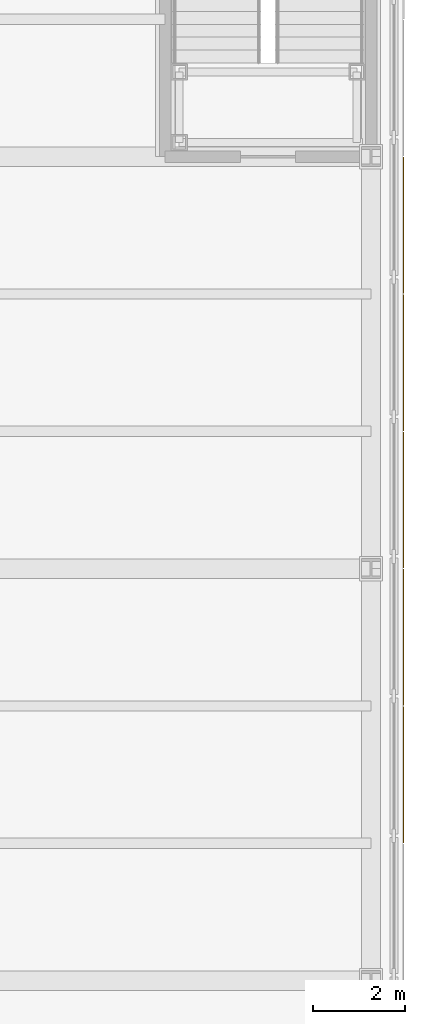
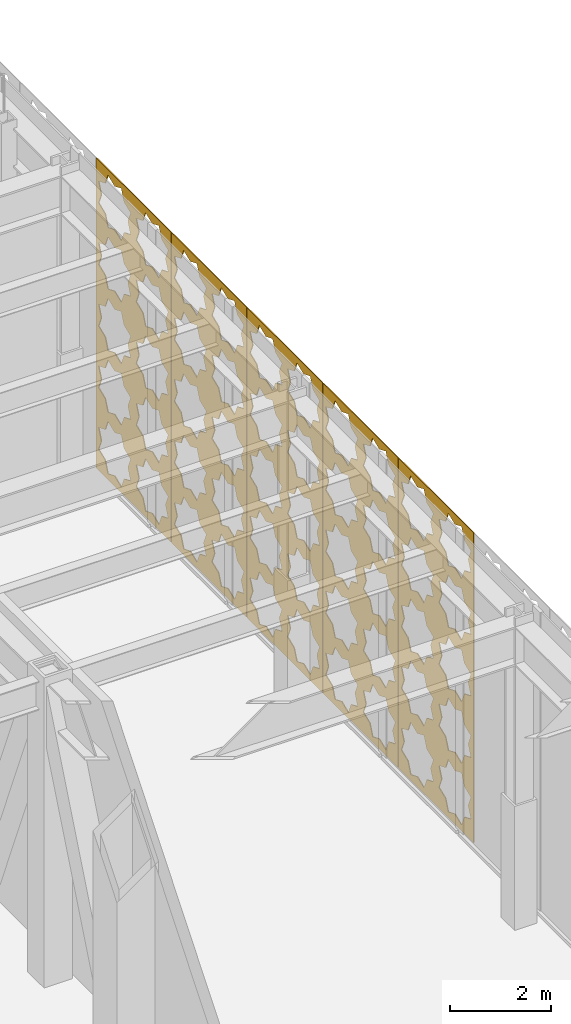
# One storey, part 33 of 34: 5 shading devices.
"""IFC4 building model written with IfcOpenShell, lengths in metres."""

from ifc_helpers import new_model, si_unit, direction, frame, origin, place, context, subcontext, project, spatial, polyline, outline, extrude, material, layer, layer_set, type_object, element, save


model = new_model("IFC4")

# Units and contexts
model_context = context("Model", 3, precision=1e-05, world=origin(), true_north=direction((0.0, 1.0)))
body_context = subcontext(model_context, "Body", "Model", "MODEL_VIEW")
ifc_project = project(units=[si_unit("LENGTHUNIT", "METRE"), si_unit("AREAUNIT", "SQUARE_METRE"), si_unit("VOLUMEUNIT", "CUBIC_METRE"), si_unit("PLANEANGLEUNIT", "RADIAN"), si_unit("MASSUNIT", "GRAM", prefix="KILO")], contexts=[model_context])

# Site, building, storey
site_placement = place(None, origin())
site = spatial("IfcSite", under=ifc_project, at=site_placement, CompositionType="ELEMENT")
building_placement = place(site_placement, origin())
building = spatial("IfcBuilding", under=site, at=building_placement, Name="Chuquiago Exchange Tower", CompositionType="ELEMENT")
storey_placement = place(building_placement, frame((0.0, 0.0, 6.0)))
storey = spatial("IfcBuildingStorey", under=building, at=storey_placement, Name="L01", CompositionType="ELEMENT", Elevation=6.0)

# Shading devices
ifc_material = material(Name="Pale metal, perforated in an eight-point star pattern", Category="aluminium")
ifc_layer = layer(ifc_material, 0.02001953125)
ifc_layer_set = layer_set([ifc_layer], Name="SC1 mashrabiya screen 20")
shading_device_type = type_object("IfcShadingDeviceType", Name="SC1 mashrabiya screen 20", PredefinedType="SHUTTER", material=ifc_layer_set)
shading_device_1_placement = place(storey_placement, frame((54.699951171875, 21.010009765625, -0.199951171875), z_axis=(0.0, 0.0, 1.0), x_axis=(0.0, 1.0, 0.0)))
element("IfcShadingDevice", 1, at=shading_device_1_placement, inside=storey, type_object=shading_device_type, Name="Mashrabiya screen L01 E 14", PredefinedType="SHUTTER", context=body_context, shape_type="SweptSolid", body=[
    extrude(outline(polyline([(0.0, 0.0), (2.97998046875, 0.0), (2.97998046875, 7.5), (0.0, 7.5), (0.0, 0.0)]), holes=[polyline([(1.26953125, 0.77001953125), (1.378173828125, 1.0322265625), (1.115966796875, 1.140869140625), (1.00732421875, 1.403076171875), (0.7451171875, 1.29443359375), (0.482666015625, 1.403076171875), (0.3740234375, 1.140869140625), (0.11181640625, 1.0322265625), (0.220458984375, 0.77001953125), (0.11181640625, 0.507568359375), (0.3740234375, 0.39892578125), (0.482666015625, 0.13671875), (0.7451171875, 0.245361328125), (1.00732421875, 0.13671875), (1.115966796875, 0.39892578125), (1.378173828125, 0.507568359375), (1.26953125, 0.77001953125)]), polyline([(2.759521484375, 0.77001953125), (2.8681640625, 1.0322265625), (2.60595703125, 1.140869140625), (2.497314453125, 1.403076171875), (2.235107421875, 1.29443359375), (1.97265625, 1.403076171875), (1.864013671875, 1.140869140625), (1.601806640625, 1.0322265625), (1.71044921875, 0.77001953125), (1.601806640625, 0.507568359375), (1.864013671875, 0.39892578125), (1.97265625, 0.13671875), (2.235107421875, 0.245361328125), (2.497314453125, 0.13671875), (2.60595703125, 0.39892578125), (2.8681640625, 0.507568359375), (2.759521484375, 0.77001953125)]), polyline([(1.26953125, 2.260009765625), (1.378173828125, 2.522216796875), (1.115966796875, 2.630859375), (1.00732421875, 2.89306640625), (0.7451171875, 2.78466796875), (0.482666015625, 2.89306640625), (0.3740234375, 2.630859375), (0.11181640625, 2.522216796875), (0.220458984375, 2.260009765625), (0.11181640625, 1.99755859375), (0.3740234375, 1.888916015625), (0.482666015625, 1.626708984375), (0.7451171875, 1.7353515625), (1.00732421875, 1.626708984375), (1.115966796875, 1.888916015625), (1.378173828125, 1.99755859375), (1.26953125, 2.260009765625)]), polyline([(2.759521484375, 2.260009765625), (2.8681640625, 2.522216796875), (2.60595703125, 2.630859375), (2.497314453125, 2.89306640625), (2.235107421875, 2.78466796875), (1.97265625, 2.89306640625), (1.864013671875, 2.630859375), (1.601806640625, 2.522216796875), (1.71044921875, 2.260009765625), (1.601806640625, 1.99755859375), (1.864013671875, 1.888916015625), (1.97265625, 1.626708984375), (2.235107421875, 1.7353515625), (2.497314453125, 1.626708984375), (2.60595703125, 1.888916015625), (2.8681640625, 1.99755859375), (2.759521484375, 2.260009765625)]), polyline([(1.26953125, 3.75), (1.378173828125, 4.01220703125), (1.115966796875, 4.120849609375), (1.00732421875, 4.383056640625), (0.7451171875, 4.274658203125), (0.482666015625, 4.383056640625), (0.3740234375, 4.120849609375), (0.11181640625, 4.01220703125), (0.220458984375, 3.75), (0.11181640625, 3.487548828125), (0.3740234375, 3.37890625), (0.482666015625, 3.11669921875), (0.7451171875, 3.225341796875), (1.00732421875, 3.11669921875), (1.115966796875, 3.37890625), (1.378173828125, 3.487548828125), (1.26953125, 3.75)]), polyline([(2.759521484375, 3.75), (2.8681640625, 4.01220703125), (2.60595703125, 4.120849609375), (2.497314453125, 4.383056640625), (2.235107421875, 4.274658203125), (1.97265625, 4.383056640625), (1.864013671875, 4.120849609375), (1.601806640625, 4.01220703125), (1.71044921875, 3.75), (1.601806640625, 3.487548828125), (1.864013671875, 3.37890625), (1.97265625, 3.11669921875), (2.235107421875, 3.225341796875), (2.497314453125, 3.11669921875), (2.60595703125, 3.37890625), (2.8681640625, 3.487548828125), (2.759521484375, 3.75)]), polyline([(1.26953125, 5.239990234375), (1.378173828125, 5.502197265625), (1.115966796875, 5.61083984375), (1.00732421875, 5.873046875), (0.7451171875, 5.7646484375), (0.482666015625, 5.873046875), (0.3740234375, 5.61083984375), (0.11181640625, 5.502197265625), (0.220458984375, 5.239990234375), (0.11181640625, 4.9775390625), (0.3740234375, 4.868896484375), (0.482666015625, 4.606689453125), (0.7451171875, 4.71533203125), (1.00732421875, 4.606689453125), (1.115966796875, 4.868896484375), (1.378173828125, 4.9775390625), (1.26953125, 5.239990234375)]), polyline([(2.759521484375, 5.239990234375), (2.8681640625, 5.502197265625), (2.60595703125, 5.61083984375), (2.497314453125, 5.873046875), (2.235107421875, 5.7646484375), (1.97265625, 5.873046875), (1.864013671875, 5.61083984375), (1.601806640625, 5.502197265625), (1.71044921875, 5.239990234375), (1.601806640625, 4.9775390625), (1.864013671875, 4.868896484375), (1.97265625, 4.606689453125), (2.235107421875, 4.71533203125), (2.497314453125, 4.606689453125), (2.60595703125, 4.868896484375), (2.8681640625, 4.9775390625), (2.759521484375, 5.239990234375)]), polyline([(1.26953125, 6.72998046875), (1.378173828125, 6.9921875), (1.115966796875, 7.100830078125), (1.00732421875, 7.363037109375), (0.7451171875, 7.254638671875), (0.482666015625, 7.363037109375), (0.3740234375, 7.100830078125), (0.11181640625, 6.9921875), (0.220458984375, 6.72998046875), (0.11181640625, 6.467529296875), (0.3740234375, 6.35888671875), (0.482666015625, 6.0966796875), (0.7451171875, 6.205322265625), (1.00732421875, 6.0966796875), (1.115966796875, 6.35888671875), (1.378173828125, 6.467529296875), (1.26953125, 6.72998046875)]), polyline([(2.759521484375, 6.72998046875), (2.8681640625, 6.9921875), (2.60595703125, 7.100830078125), (2.497314453125, 7.363037109375), (2.235107421875, 7.254638671875), (1.97265625, 7.363037109375), (1.864013671875, 7.100830078125), (1.601806640625, 6.9921875), (1.71044921875, 6.72998046875), (1.601806640625, 6.467529296875), (1.864013671875, 6.35888671875), (1.97265625, 6.0966796875), (2.235107421875, 6.205322265625), (2.497314453125, 6.0966796875), (2.60595703125, 6.35888671875), (2.8681640625, 6.467529296875), (2.759521484375, 6.72998046875)])]), frame((0.0, 0.0, 0.0), z_axis=(0.0, -1.0, 0.0), x_axis=(1.0, 0.0, 0.0)), (0.0, 0.0, 1.0), 0.02001953125),
])
shading_device_2_placement = place(storey_placement, frame((54.699951171875, 24.010009765625, -0.199951171875), z_axis=(0.0, 0.0, 1.0), x_axis=(0.0, 1.0, 0.0)))
element("IfcShadingDevice", 2, at=shading_device_2_placement, inside=storey, type_object=shading_device_type, Name="Mashrabiya screen L01 E 15", PredefinedType="SHUTTER", context=body_context, shape_type="SweptSolid", body=[
    extrude(outline(polyline([(0.0, 0.0), (2.97998046875, 0.0), (2.97998046875, 7.5), (0.0, 7.5), (0.0, 0.0)]), holes=[polyline([(1.26953125, 0.77001953125), (1.378173828125, 1.0322265625), (1.115966796875, 1.140869140625), (1.00732421875, 1.403076171875), (0.7451171875, 1.29443359375), (0.482666015625, 1.403076171875), (0.3740234375, 1.140869140625), (0.11181640625, 1.0322265625), (0.220458984375, 0.77001953125), (0.11181640625, 0.507568359375), (0.3740234375, 0.39892578125), (0.482666015625, 0.13671875), (0.7451171875, 0.245361328125), (1.00732421875, 0.13671875), (1.115966796875, 0.39892578125), (1.378173828125, 0.507568359375), (1.26953125, 0.77001953125)]), polyline([(2.759521484375, 0.77001953125), (2.8681640625, 1.0322265625), (2.60595703125, 1.140869140625), (2.497314453125, 1.403076171875), (2.235107421875, 1.29443359375), (1.97265625, 1.403076171875), (1.864013671875, 1.140869140625), (1.601806640625, 1.0322265625), (1.71044921875, 0.77001953125), (1.601806640625, 0.507568359375), (1.864013671875, 0.39892578125), (1.97265625, 0.13671875), (2.235107421875, 0.245361328125), (2.497314453125, 0.13671875), (2.60595703125, 0.39892578125), (2.8681640625, 0.507568359375), (2.759521484375, 0.77001953125)]), polyline([(1.26953125, 2.260009765625), (1.378173828125, 2.522216796875), (1.115966796875, 2.630859375), (1.00732421875, 2.89306640625), (0.7451171875, 2.78466796875), (0.482666015625, 2.89306640625), (0.3740234375, 2.630859375), (0.11181640625, 2.522216796875), (0.220458984375, 2.260009765625), (0.11181640625, 1.99755859375), (0.3740234375, 1.888916015625), (0.482666015625, 1.626708984375), (0.7451171875, 1.7353515625), (1.00732421875, 1.626708984375), (1.115966796875, 1.888916015625), (1.378173828125, 1.99755859375), (1.26953125, 2.260009765625)]), polyline([(2.759521484375, 2.260009765625), (2.8681640625, 2.522216796875), (2.60595703125, 2.630859375), (2.497314453125, 2.89306640625), (2.235107421875, 2.78466796875), (1.97265625, 2.89306640625), (1.864013671875, 2.630859375), (1.601806640625, 2.522216796875), (1.71044921875, 2.260009765625), (1.601806640625, 1.99755859375), (1.864013671875, 1.888916015625), (1.97265625, 1.626708984375), (2.235107421875, 1.7353515625), (2.497314453125, 1.626708984375), (2.60595703125, 1.888916015625), (2.8681640625, 1.99755859375), (2.759521484375, 2.260009765625)]), polyline([(1.26953125, 3.75), (1.378173828125, 4.01220703125), (1.115966796875, 4.120849609375), (1.00732421875, 4.383056640625), (0.7451171875, 4.274658203125), (0.482666015625, 4.383056640625), (0.3740234375, 4.120849609375), (0.11181640625, 4.01220703125), (0.220458984375, 3.75), (0.11181640625, 3.487548828125), (0.3740234375, 3.37890625), (0.482666015625, 3.11669921875), (0.7451171875, 3.225341796875), (1.00732421875, 3.11669921875), (1.115966796875, 3.37890625), (1.378173828125, 3.487548828125), (1.26953125, 3.75)]), polyline([(2.759521484375, 3.75), (2.8681640625, 4.01220703125), (2.60595703125, 4.120849609375), (2.497314453125, 4.383056640625), (2.235107421875, 4.274658203125), (1.97265625, 4.383056640625), (1.864013671875, 4.120849609375), (1.601806640625, 4.01220703125), (1.71044921875, 3.75), (1.601806640625, 3.487548828125), (1.864013671875, 3.37890625), (1.97265625, 3.11669921875), (2.235107421875, 3.225341796875), (2.497314453125, 3.11669921875), (2.60595703125, 3.37890625), (2.8681640625, 3.487548828125), (2.759521484375, 3.75)]), polyline([(1.26953125, 5.239990234375), (1.378173828125, 5.502197265625), (1.115966796875, 5.61083984375), (1.00732421875, 5.873046875), (0.7451171875, 5.7646484375), (0.482666015625, 5.873046875), (0.3740234375, 5.61083984375), (0.11181640625, 5.502197265625), (0.220458984375, 5.239990234375), (0.11181640625, 4.9775390625), (0.3740234375, 4.868896484375), (0.482666015625, 4.606689453125), (0.7451171875, 4.71533203125), (1.00732421875, 4.606689453125), (1.115966796875, 4.868896484375), (1.378173828125, 4.9775390625), (1.26953125, 5.239990234375)]), polyline([(2.759521484375, 5.239990234375), (2.8681640625, 5.502197265625), (2.60595703125, 5.61083984375), (2.497314453125, 5.873046875), (2.235107421875, 5.7646484375), (1.97265625, 5.873046875), (1.864013671875, 5.61083984375), (1.601806640625, 5.502197265625), (1.71044921875, 5.239990234375), (1.601806640625, 4.9775390625), (1.864013671875, 4.868896484375), (1.97265625, 4.606689453125), (2.235107421875, 4.71533203125), (2.497314453125, 4.606689453125), (2.60595703125, 4.868896484375), (2.8681640625, 4.9775390625), (2.759521484375, 5.239990234375)]), polyline([(1.26953125, 6.72998046875), (1.378173828125, 6.9921875), (1.115966796875, 7.100830078125), (1.00732421875, 7.363037109375), (0.7451171875, 7.254638671875), (0.482666015625, 7.363037109375), (0.3740234375, 7.100830078125), (0.11181640625, 6.9921875), (0.220458984375, 6.72998046875), (0.11181640625, 6.467529296875), (0.3740234375, 6.35888671875), (0.482666015625, 6.0966796875), (0.7451171875, 6.205322265625), (1.00732421875, 6.0966796875), (1.115966796875, 6.35888671875), (1.378173828125, 6.467529296875), (1.26953125, 6.72998046875)]), polyline([(2.759521484375, 6.72998046875), (2.8681640625, 6.9921875), (2.60595703125, 7.100830078125), (2.497314453125, 7.363037109375), (2.235107421875, 7.254638671875), (1.97265625, 7.363037109375), (1.864013671875, 7.100830078125), (1.601806640625, 6.9921875), (1.71044921875, 6.72998046875), (1.601806640625, 6.467529296875), (1.864013671875, 6.35888671875), (1.97265625, 6.0966796875), (2.235107421875, 6.205322265625), (2.497314453125, 6.0966796875), (2.60595703125, 6.35888671875), (2.8681640625, 6.467529296875), (2.759521484375, 6.72998046875)])]), frame((0.0, 0.0, 0.0), z_axis=(0.0, -1.0, 0.0), x_axis=(1.0, 0.0, 0.0)), (0.0, 0.0, 1.0), 0.02001953125),
])
shading_device_3_placement = place(storey_placement, frame((54.699951171875, 27.010009765625, -0.199951171875), z_axis=(0.0, 0.0, 1.0), x_axis=(0.0, 1.0, 0.0)))
element("IfcShadingDevice", 3, at=shading_device_3_placement, inside=storey, type_object=shading_device_type, Name="Mashrabiya screen L01 E 16", PredefinedType="SHUTTER", context=body_context, shape_type="SweptSolid", body=[
    extrude(outline(polyline([(0.0, 0.0), (2.97998046875, 0.0), (2.97998046875, 7.5), (0.0, 7.5), (0.0, 0.0)]), holes=[polyline([(1.26953125, 0.77001953125), (1.378173828125, 1.0322265625), (1.115966796875, 1.140869140625), (1.00732421875, 1.403076171875), (0.7451171875, 1.29443359375), (0.482666015625, 1.403076171875), (0.3740234375, 1.140869140625), (0.11181640625, 1.0322265625), (0.220458984375, 0.77001953125), (0.11181640625, 0.507568359375), (0.3740234375, 0.39892578125), (0.482666015625, 0.13671875), (0.7451171875, 0.245361328125), (1.00732421875, 0.13671875), (1.115966796875, 0.39892578125), (1.378173828125, 0.507568359375), (1.26953125, 0.77001953125)]), polyline([(2.759521484375, 0.77001953125), (2.8681640625, 1.0322265625), (2.60595703125, 1.140869140625), (2.497314453125, 1.403076171875), (2.235107421875, 1.29443359375), (1.97265625, 1.403076171875), (1.864013671875, 1.140869140625), (1.601806640625, 1.0322265625), (1.71044921875, 0.77001953125), (1.601806640625, 0.507568359375), (1.864013671875, 0.39892578125), (1.97265625, 0.13671875), (2.235107421875, 0.245361328125), (2.497314453125, 0.13671875), (2.60595703125, 0.39892578125), (2.8681640625, 0.507568359375), (2.759521484375, 0.77001953125)]), polyline([(1.26953125, 2.260009765625), (1.378173828125, 2.522216796875), (1.115966796875, 2.630859375), (1.00732421875, 2.89306640625), (0.7451171875, 2.78466796875), (0.482666015625, 2.89306640625), (0.3740234375, 2.630859375), (0.11181640625, 2.522216796875), (0.220458984375, 2.260009765625), (0.11181640625, 1.99755859375), (0.3740234375, 1.888916015625), (0.482666015625, 1.626708984375), (0.7451171875, 1.7353515625), (1.00732421875, 1.626708984375), (1.115966796875, 1.888916015625), (1.378173828125, 1.99755859375), (1.26953125, 2.260009765625)]), polyline([(2.759521484375, 2.260009765625), (2.8681640625, 2.522216796875), (2.60595703125, 2.630859375), (2.497314453125, 2.89306640625), (2.235107421875, 2.78466796875), (1.97265625, 2.89306640625), (1.864013671875, 2.630859375), (1.601806640625, 2.522216796875), (1.71044921875, 2.260009765625), (1.601806640625, 1.99755859375), (1.864013671875, 1.888916015625), (1.97265625, 1.626708984375), (2.235107421875, 1.7353515625), (2.497314453125, 1.626708984375), (2.60595703125, 1.888916015625), (2.8681640625, 1.99755859375), (2.759521484375, 2.260009765625)]), polyline([(1.26953125, 3.75), (1.378173828125, 4.01220703125), (1.115966796875, 4.120849609375), (1.00732421875, 4.383056640625), (0.7451171875, 4.274658203125), (0.482666015625, 4.383056640625), (0.3740234375, 4.120849609375), (0.11181640625, 4.01220703125), (0.220458984375, 3.75), (0.11181640625, 3.487548828125), (0.3740234375, 3.37890625), (0.482666015625, 3.11669921875), (0.7451171875, 3.225341796875), (1.00732421875, 3.11669921875), (1.115966796875, 3.37890625), (1.378173828125, 3.487548828125), (1.26953125, 3.75)]), polyline([(2.759521484375, 3.75), (2.8681640625, 4.01220703125), (2.60595703125, 4.120849609375), (2.497314453125, 4.383056640625), (2.235107421875, 4.274658203125), (1.97265625, 4.383056640625), (1.864013671875, 4.120849609375), (1.601806640625, 4.01220703125), (1.71044921875, 3.75), (1.601806640625, 3.487548828125), (1.864013671875, 3.37890625), (1.97265625, 3.11669921875), (2.235107421875, 3.225341796875), (2.497314453125, 3.11669921875), (2.60595703125, 3.37890625), (2.8681640625, 3.487548828125), (2.759521484375, 3.75)]), polyline([(1.26953125, 5.239990234375), (1.378173828125, 5.502197265625), (1.115966796875, 5.61083984375), (1.00732421875, 5.873046875), (0.7451171875, 5.7646484375), (0.482666015625, 5.873046875), (0.3740234375, 5.61083984375), (0.11181640625, 5.502197265625), (0.220458984375, 5.239990234375), (0.11181640625, 4.9775390625), (0.3740234375, 4.868896484375), (0.482666015625, 4.606689453125), (0.7451171875, 4.71533203125), (1.00732421875, 4.606689453125), (1.115966796875, 4.868896484375), (1.378173828125, 4.9775390625), (1.26953125, 5.239990234375)]), polyline([(2.759521484375, 5.239990234375), (2.8681640625, 5.502197265625), (2.60595703125, 5.61083984375), (2.497314453125, 5.873046875), (2.235107421875, 5.7646484375), (1.97265625, 5.873046875), (1.864013671875, 5.61083984375), (1.601806640625, 5.502197265625), (1.71044921875, 5.239990234375), (1.601806640625, 4.9775390625), (1.864013671875, 4.868896484375), (1.97265625, 4.606689453125), (2.235107421875, 4.71533203125), (2.497314453125, 4.606689453125), (2.60595703125, 4.868896484375), (2.8681640625, 4.9775390625), (2.759521484375, 5.239990234375)]), polyline([(1.26953125, 6.72998046875), (1.378173828125, 6.9921875), (1.115966796875, 7.100830078125), (1.00732421875, 7.363037109375), (0.7451171875, 7.254638671875), (0.482666015625, 7.363037109375), (0.3740234375, 7.100830078125), (0.11181640625, 6.9921875), (0.220458984375, 6.72998046875), (0.11181640625, 6.467529296875), (0.3740234375, 6.35888671875), (0.482666015625, 6.0966796875), (0.7451171875, 6.205322265625), (1.00732421875, 6.0966796875), (1.115966796875, 6.35888671875), (1.378173828125, 6.467529296875), (1.26953125, 6.72998046875)]), polyline([(2.759521484375, 6.72998046875), (2.8681640625, 6.9921875), (2.60595703125, 7.100830078125), (2.497314453125, 7.363037109375), (2.235107421875, 7.254638671875), (1.97265625, 7.363037109375), (1.864013671875, 7.100830078125), (1.601806640625, 6.9921875), (1.71044921875, 6.72998046875), (1.601806640625, 6.467529296875), (1.864013671875, 6.35888671875), (1.97265625, 6.0966796875), (2.235107421875, 6.205322265625), (2.497314453125, 6.0966796875), (2.60595703125, 6.35888671875), (2.8681640625, 6.467529296875), (2.759521484375, 6.72998046875)])]), frame((0.0, 0.0, 0.0), z_axis=(0.0, -1.0, 0.0), x_axis=(1.0, 0.0, 0.0)), (0.0, 0.0, 1.0), 0.02001953125),
])
shading_device_4_placement = place(storey_placement, frame((54.699951171875, 30.010009765625, -0.199951171875), z_axis=(0.0, 0.0, 1.0), x_axis=(0.0, 1.0, 0.0)))
element("IfcShadingDevice", 4, at=shading_device_4_placement, inside=storey, type_object=shading_device_type, Name="Mashrabiya screen L01 E 17", PredefinedType="SHUTTER", context=body_context, shape_type="SweptSolid", body=[
    extrude(outline(polyline([(0.0, 0.0), (2.97998046875, 0.0), (2.97998046875, 7.5), (0.0, 7.5), (0.0, 0.0)]), holes=[polyline([(1.26953125, 0.77001953125), (1.378173828125, 1.0322265625), (1.115966796875, 1.140869140625), (1.00732421875, 1.403076171875), (0.7451171875, 1.29443359375), (0.482666015625, 1.403076171875), (0.3740234375, 1.140869140625), (0.11181640625, 1.0322265625), (0.220458984375, 0.77001953125), (0.11181640625, 0.507568359375), (0.3740234375, 0.39892578125), (0.482666015625, 0.13671875), (0.7451171875, 0.245361328125), (1.00732421875, 0.13671875), (1.115966796875, 0.39892578125), (1.378173828125, 0.507568359375), (1.26953125, 0.77001953125)]), polyline([(2.759521484375, 0.77001953125), (2.8681640625, 1.0322265625), (2.60595703125, 1.140869140625), (2.497314453125, 1.403076171875), (2.235107421875, 1.29443359375), (1.97265625, 1.403076171875), (1.864013671875, 1.140869140625), (1.601806640625, 1.0322265625), (1.71044921875, 0.77001953125), (1.601806640625, 0.507568359375), (1.864013671875, 0.39892578125), (1.97265625, 0.13671875), (2.235107421875, 0.245361328125), (2.497314453125, 0.13671875), (2.60595703125, 0.39892578125), (2.8681640625, 0.507568359375), (2.759521484375, 0.77001953125)]), polyline([(1.26953125, 2.260009765625), (1.378173828125, 2.522216796875), (1.115966796875, 2.630859375), (1.00732421875, 2.89306640625), (0.7451171875, 2.78466796875), (0.482666015625, 2.89306640625), (0.3740234375, 2.630859375), (0.11181640625, 2.522216796875), (0.220458984375, 2.260009765625), (0.11181640625, 1.99755859375), (0.3740234375, 1.888916015625), (0.482666015625, 1.626708984375), (0.7451171875, 1.7353515625), (1.00732421875, 1.626708984375), (1.115966796875, 1.888916015625), (1.378173828125, 1.99755859375), (1.26953125, 2.260009765625)]), polyline([(2.759521484375, 2.260009765625), (2.8681640625, 2.522216796875), (2.60595703125, 2.630859375), (2.497314453125, 2.89306640625), (2.235107421875, 2.78466796875), (1.97265625, 2.89306640625), (1.864013671875, 2.630859375), (1.601806640625, 2.522216796875), (1.71044921875, 2.260009765625), (1.601806640625, 1.99755859375), (1.864013671875, 1.888916015625), (1.97265625, 1.626708984375), (2.235107421875, 1.7353515625), (2.497314453125, 1.626708984375), (2.60595703125, 1.888916015625), (2.8681640625, 1.99755859375), (2.759521484375, 2.260009765625)]), polyline([(1.26953125, 3.75), (1.378173828125, 4.01220703125), (1.115966796875, 4.120849609375), (1.00732421875, 4.383056640625), (0.7451171875, 4.274658203125), (0.482666015625, 4.383056640625), (0.3740234375, 4.120849609375), (0.11181640625, 4.01220703125), (0.220458984375, 3.75), (0.11181640625, 3.487548828125), (0.3740234375, 3.37890625), (0.482666015625, 3.11669921875), (0.7451171875, 3.225341796875), (1.00732421875, 3.11669921875), (1.115966796875, 3.37890625), (1.378173828125, 3.487548828125), (1.26953125, 3.75)]), polyline([(2.759521484375, 3.75), (2.8681640625, 4.01220703125), (2.60595703125, 4.120849609375), (2.497314453125, 4.383056640625), (2.235107421875, 4.274658203125), (1.97265625, 4.383056640625), (1.864013671875, 4.120849609375), (1.601806640625, 4.01220703125), (1.71044921875, 3.75), (1.601806640625, 3.487548828125), (1.864013671875, 3.37890625), (1.97265625, 3.11669921875), (2.235107421875, 3.225341796875), (2.497314453125, 3.11669921875), (2.60595703125, 3.37890625), (2.8681640625, 3.487548828125), (2.759521484375, 3.75)]), polyline([(1.26953125, 5.239990234375), (1.378173828125, 5.502197265625), (1.115966796875, 5.61083984375), (1.00732421875, 5.873046875), (0.7451171875, 5.7646484375), (0.482666015625, 5.873046875), (0.3740234375, 5.61083984375), (0.11181640625, 5.502197265625), (0.220458984375, 5.239990234375), (0.11181640625, 4.9775390625), (0.3740234375, 4.868896484375), (0.482666015625, 4.606689453125), (0.7451171875, 4.71533203125), (1.00732421875, 4.606689453125), (1.115966796875, 4.868896484375), (1.378173828125, 4.9775390625), (1.26953125, 5.239990234375)]), polyline([(2.759521484375, 5.239990234375), (2.8681640625, 5.502197265625), (2.60595703125, 5.61083984375), (2.497314453125, 5.873046875), (2.235107421875, 5.7646484375), (1.97265625, 5.873046875), (1.864013671875, 5.61083984375), (1.601806640625, 5.502197265625), (1.71044921875, 5.239990234375), (1.601806640625, 4.9775390625), (1.864013671875, 4.868896484375), (1.97265625, 4.606689453125), (2.235107421875, 4.71533203125), (2.497314453125, 4.606689453125), (2.60595703125, 4.868896484375), (2.8681640625, 4.9775390625), (2.759521484375, 5.239990234375)]), polyline([(1.26953125, 6.72998046875), (1.378173828125, 6.9921875), (1.115966796875, 7.100830078125), (1.00732421875, 7.363037109375), (0.7451171875, 7.254638671875), (0.482666015625, 7.363037109375), (0.3740234375, 7.100830078125), (0.11181640625, 6.9921875), (0.220458984375, 6.72998046875), (0.11181640625, 6.467529296875), (0.3740234375, 6.35888671875), (0.482666015625, 6.0966796875), (0.7451171875, 6.205322265625), (1.00732421875, 6.0966796875), (1.115966796875, 6.35888671875), (1.378173828125, 6.467529296875), (1.26953125, 6.72998046875)]), polyline([(2.759521484375, 6.72998046875), (2.8681640625, 6.9921875), (2.60595703125, 7.100830078125), (2.497314453125, 7.363037109375), (2.235107421875, 7.254638671875), (1.97265625, 7.363037109375), (1.864013671875, 7.100830078125), (1.601806640625, 6.9921875), (1.71044921875, 6.72998046875), (1.601806640625, 6.467529296875), (1.864013671875, 6.35888671875), (1.97265625, 6.0966796875), (2.235107421875, 6.205322265625), (2.497314453125, 6.0966796875), (2.60595703125, 6.35888671875), (2.8681640625, 6.467529296875), (2.759521484375, 6.72998046875)])]), frame((0.0, 0.0, 0.0), z_axis=(0.0, -1.0, 0.0), x_axis=(1.0, 0.0, 0.0)), (0.0, 0.0, 1.0), 0.02001953125),
])
shading_device_5_placement = place(storey_placement, frame((54.699951171875, 33.010009765625, -0.199951171875), z_axis=(0.0, 0.0, 1.0), x_axis=(0.0, 1.0, 0.0)))
element("IfcShadingDevice", 5, at=shading_device_5_placement, inside=storey, type_object=shading_device_type, Name="Mashrabiya screen L01 E 18", PredefinedType="SHUTTER", context=body_context, shape_type="SweptSolid", body=[
    extrude(outline(polyline([(0.0, 0.0), (2.97998046875, 0.0), (2.97998046875, 7.5), (0.0, 7.5), (0.0, 0.0)]), holes=[polyline([(1.26953125, 0.77001953125), (1.378173828125, 1.0322265625), (1.115966796875, 1.140869140625), (1.00732421875, 1.403076171875), (0.7451171875, 1.29443359375), (0.482666015625, 1.403076171875), (0.3740234375, 1.140869140625), (0.11181640625, 1.0322265625), (0.220458984375, 0.77001953125), (0.11181640625, 0.507568359375), (0.3740234375, 0.39892578125), (0.482666015625, 0.13671875), (0.7451171875, 0.245361328125), (1.00732421875, 0.13671875), (1.115966796875, 0.39892578125), (1.378173828125, 0.507568359375), (1.26953125, 0.77001953125)]), polyline([(2.759521484375, 0.77001953125), (2.8681640625, 1.0322265625), (2.60595703125, 1.140869140625), (2.497314453125, 1.403076171875), (2.235107421875, 1.29443359375), (1.97265625, 1.403076171875), (1.864013671875, 1.140869140625), (1.601806640625, 1.0322265625), (1.71044921875, 0.77001953125), (1.601806640625, 0.507568359375), (1.864013671875, 0.39892578125), (1.97265625, 0.13671875), (2.235107421875, 0.245361328125), (2.497314453125, 0.13671875), (2.60595703125, 0.39892578125), (2.8681640625, 0.507568359375), (2.759521484375, 0.77001953125)]), polyline([(1.26953125, 2.260009765625), (1.378173828125, 2.522216796875), (1.115966796875, 2.630859375), (1.00732421875, 2.89306640625), (0.7451171875, 2.78466796875), (0.482666015625, 2.89306640625), (0.3740234375, 2.630859375), (0.11181640625, 2.522216796875), (0.220458984375, 2.260009765625), (0.11181640625, 1.99755859375), (0.3740234375, 1.888916015625), (0.482666015625, 1.626708984375), (0.7451171875, 1.7353515625), (1.00732421875, 1.626708984375), (1.115966796875, 1.888916015625), (1.378173828125, 1.99755859375), (1.26953125, 2.260009765625)]), polyline([(2.759521484375, 2.260009765625), (2.8681640625, 2.522216796875), (2.60595703125, 2.630859375), (2.497314453125, 2.89306640625), (2.235107421875, 2.78466796875), (1.97265625, 2.89306640625), (1.864013671875, 2.630859375), (1.601806640625, 2.522216796875), (1.71044921875, 2.260009765625), (1.601806640625, 1.99755859375), (1.864013671875, 1.888916015625), (1.97265625, 1.626708984375), (2.235107421875, 1.7353515625), (2.497314453125, 1.626708984375), (2.60595703125, 1.888916015625), (2.8681640625, 1.99755859375), (2.759521484375, 2.260009765625)]), polyline([(1.26953125, 3.75), (1.378173828125, 4.01220703125), (1.115966796875, 4.120849609375), (1.00732421875, 4.383056640625), (0.7451171875, 4.274658203125), (0.482666015625, 4.383056640625), (0.3740234375, 4.120849609375), (0.11181640625, 4.01220703125), (0.220458984375, 3.75), (0.11181640625, 3.487548828125), (0.3740234375, 3.37890625), (0.482666015625, 3.11669921875), (0.7451171875, 3.225341796875), (1.00732421875, 3.11669921875), (1.115966796875, 3.37890625), (1.378173828125, 3.487548828125), (1.26953125, 3.75)]), polyline([(2.759521484375, 3.75), (2.8681640625, 4.01220703125), (2.60595703125, 4.120849609375), (2.497314453125, 4.383056640625), (2.235107421875, 4.274658203125), (1.97265625, 4.383056640625), (1.864013671875, 4.120849609375), (1.601806640625, 4.01220703125), (1.71044921875, 3.75), (1.601806640625, 3.487548828125), (1.864013671875, 3.37890625), (1.97265625, 3.11669921875), (2.235107421875, 3.225341796875), (2.497314453125, 3.11669921875), (2.60595703125, 3.37890625), (2.8681640625, 3.487548828125), (2.759521484375, 3.75)]), polyline([(1.26953125, 5.239990234375), (1.378173828125, 5.502197265625), (1.115966796875, 5.61083984375), (1.00732421875, 5.873046875), (0.7451171875, 5.7646484375), (0.482666015625, 5.873046875), (0.3740234375, 5.61083984375), (0.11181640625, 5.502197265625), (0.220458984375, 5.239990234375), (0.11181640625, 4.9775390625), (0.3740234375, 4.868896484375), (0.482666015625, 4.606689453125), (0.7451171875, 4.71533203125), (1.00732421875, 4.606689453125), (1.115966796875, 4.868896484375), (1.378173828125, 4.9775390625), (1.26953125, 5.239990234375)]), polyline([(2.759521484375, 5.239990234375), (2.8681640625, 5.502197265625), (2.60595703125, 5.61083984375), (2.497314453125, 5.873046875), (2.235107421875, 5.7646484375), (1.97265625, 5.873046875), (1.864013671875, 5.61083984375), (1.601806640625, 5.502197265625), (1.71044921875, 5.239990234375), (1.601806640625, 4.9775390625), (1.864013671875, 4.868896484375), (1.97265625, 4.606689453125), (2.235107421875, 4.71533203125), (2.497314453125, 4.606689453125), (2.60595703125, 4.868896484375), (2.8681640625, 4.9775390625), (2.759521484375, 5.239990234375)]), polyline([(1.26953125, 6.72998046875), (1.378173828125, 6.9921875), (1.115966796875, 7.100830078125), (1.00732421875, 7.363037109375), (0.7451171875, 7.254638671875), (0.482666015625, 7.363037109375), (0.3740234375, 7.100830078125), (0.11181640625, 6.9921875), (0.220458984375, 6.72998046875), (0.11181640625, 6.467529296875), (0.3740234375, 6.35888671875), (0.482666015625, 6.0966796875), (0.7451171875, 6.205322265625), (1.00732421875, 6.0966796875), (1.115966796875, 6.35888671875), (1.378173828125, 6.467529296875), (1.26953125, 6.72998046875)]), polyline([(2.759521484375, 6.72998046875), (2.8681640625, 6.9921875), (2.60595703125, 7.100830078125), (2.497314453125, 7.363037109375), (2.235107421875, 7.254638671875), (1.97265625, 7.363037109375), (1.864013671875, 7.100830078125), (1.601806640625, 6.9921875), (1.71044921875, 6.72998046875), (1.601806640625, 6.467529296875), (1.864013671875, 6.35888671875), (1.97265625, 6.0966796875), (2.235107421875, 6.205322265625), (2.497314453125, 6.0966796875), (2.60595703125, 6.35888671875), (2.8681640625, 6.467529296875), (2.759521484375, 6.72998046875)])]), frame((0.0, 0.0, 0.0), z_axis=(0.0, -1.0, 0.0), x_axis=(1.0, 0.0, 0.0)), (0.0, 0.0, 1.0), 0.02001953125),
])

save(model, "model.ifc")
